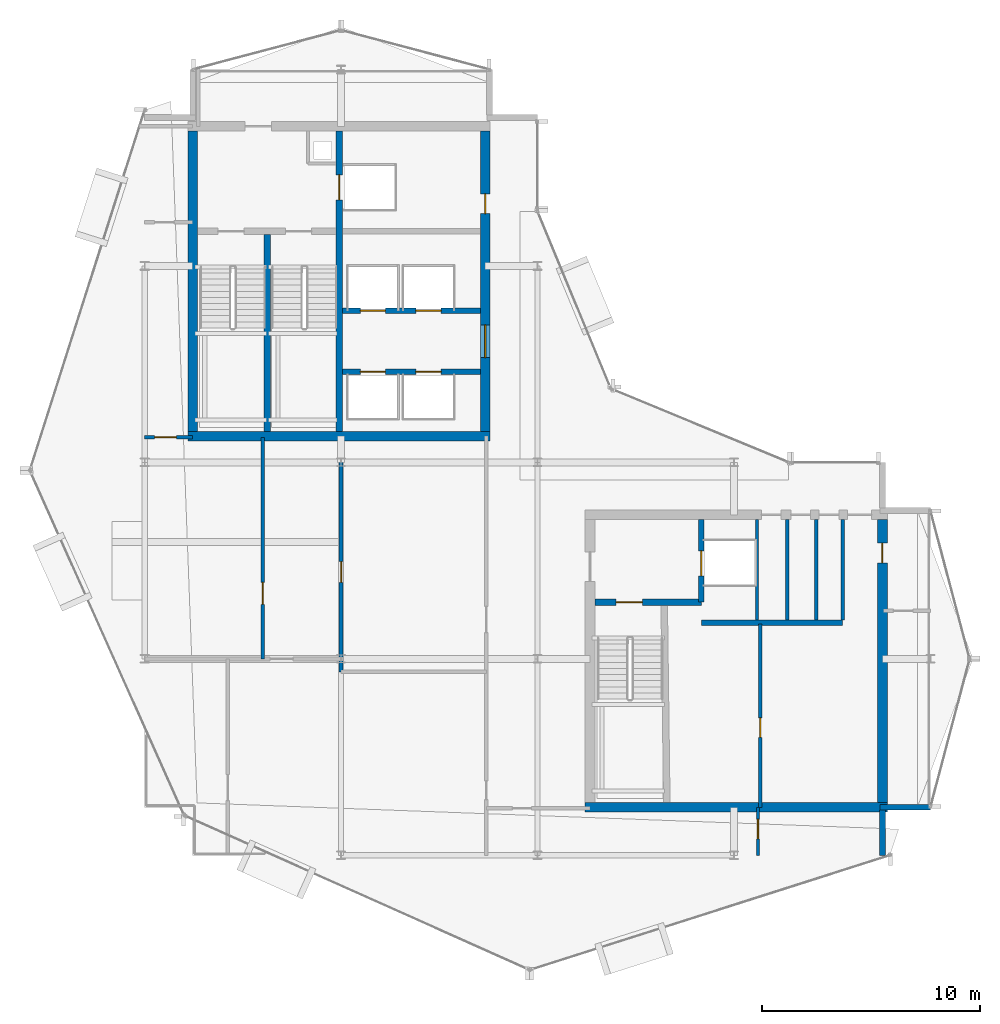
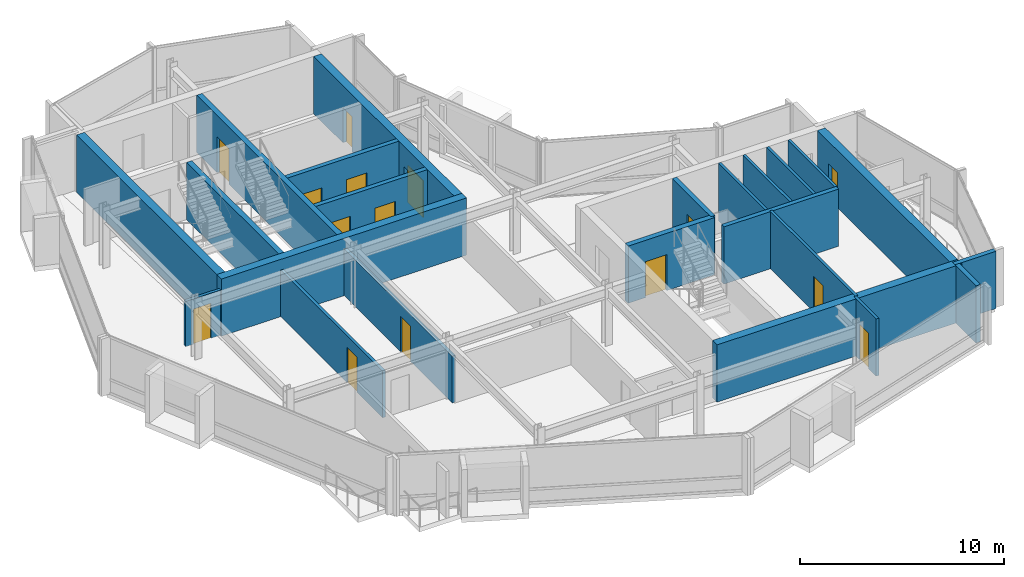
# One storey, part 14 of 19: 23 walls, 15 doors, 15 openings.
"""IFC4 building model written with IfcOpenShell, lengths in metres."""

from ifc_helpers import new_model, si_unit, direction, frame, frame_2d, origin, place, context, subcontext, project, spatial, rectangle, extrude, material, layer, layer_set, type_object, element, fill, save


model = new_model("IFC4")

# Units and contexts
model_context = context("Model", 3, precision=1e-05, world=origin(), true_north=direction((0.0, 1.0)))
body_context = subcontext(model_context, "Body", "Model", "MODEL_VIEW")
ifc_project = project(units=[si_unit("LENGTHUNIT", "METRE"), si_unit("AREAUNIT", "SQUARE_METRE"), si_unit("VOLUMEUNIT", "CUBIC_METRE"), si_unit("PLANEANGLEUNIT", "RADIAN"), si_unit("MASSUNIT", "GRAM", prefix="KILO")], contexts=[model_context])

# Site, building, storey
site_placement = place(None, origin())
site = spatial("IfcSite", under=ifc_project, at=site_placement, CompositionType="ELEMENT")
building_placement = place(site_placement, origin())
building = spatial("IfcBuilding", under=site, at=building_placement, Name="Solvaryn Broadcast Tower", CompositionType="ELEMENT")
storey_placement = place(building_placement, frame((0.0, 0.0, 270.39990234375)))
storey = spatial("IfcBuildingStorey", under=building, at=storey_placement, Name="L68", CompositionType="ELEMENT", Elevation=270.39990234375)

# Walls
ifc_material_1 = material(Name="Concrete f'c 70 MPa", Category="concrete")
ifc_layer_1 = layer(ifc_material_1, 0.449951171875)
ifc_layer_set_1 = layer_set([ifc_layer_1], Name="CW-SHEAR-450")
wall_type_1 = type_object("IfcWallType", Name="CW-SHEAR-450", PredefinedType="SHEAR", material=ifc_layer_set_1)
wall_1_placement = place(storey_placement, frame((10.97509765625, 28.199951171875, 0.0), z_axis=(0.0, 0.0, 1.0), x_axis=(1.0, 0.0, 0.0)))
element("IfcWall", 1, at=wall_1_placement, inside=storey, type_object=wall_type_1, Name="L68 West Core South Shear Wall", PredefinedType="SHEAR", context=body_context, shape_type="SweptSolid", body=[
    extrude(rectangle(XDim=13.849853515625, YDim=0.449951171875, at=frame_2d((6.9248046875, 0.0))), origin(), (0.0, 0.0, 1.0), 3.420166015625),
])
wall_2_placement = place(storey_placement, frame((11.199951171875, 42.175048828125, 0.0), z_axis=(0.0, 0.0, 1.0), x_axis=(0.0, -1.0, 0.0)))
element("IfcWall", 2, at=wall_2_placement, inside=storey, type_object=wall_type_1, Name="L68 West Core West Shear Wall", PredefinedType="SHEAR", context=body_context, shape_type="SweptSolid", body=[
    extrude(rectangle(XDim=13.75, YDim=0.449951171875, at=frame_2d((6.875, 0.0))), origin(), (0.0, 0.0, 1.0), 3.420166015625),
])

# Wall, openings, doors
wall_3_placement = place(storey_placement, frame((24.60009765625, 28.425048828125, 0.0), z_axis=(0.0, 0.0, 1.0), x_axis=(0.0, 1.0, 0.0)))
wall_3 = element("IfcWall", 3, at=wall_3_placement, inside=storey, type_object=wall_type_1, Name="L68 West Core East Shear Wall", PredefinedType="SHEAR", context=body_context, shape_type="SweptSolid", body=[
    extrude(rectangle(XDim=13.75, YDim=0.449951171875, at=frame_2d((6.875, 0.0))), origin(), (0.0, 0.0, 1.0), 3.420166015625),
])
opening_1_placement = place(wall_3_placement, frame((3.375, 0.0, 0.0)))
opening_1 = element("IfcOpeningElement", 4, at=opening_1_placement, cuts=wall_3, Name="Opening FD60A", PredefinedType="OPENING", context=body_context, shape_type="SweptSolid", body=[
    extrude(rectangle(XDim=1.5, YDim=2.199951171875, at=frame_2d((0.75, 1.10009765625))), frame((0.0, 0.235107421875, 0.0), z_axis=(0.0, -1.0, 0.0), x_axis=(1.0, 0.0, 0.0)), (0.0, 0.0, 1.0), 0.469970703125),
])
opening_2_placement = place(wall_3_placement, frame((9.97509765625, 0.0, 0.0)))
opening_2 = element("IfcOpeningElement", 5, at=opening_2_placement, cuts=wall_3, Name="Opening FD60C", PredefinedType="OPENING", context=body_context, shape_type="SweptSolid", body=[
    extrude(rectangle(XDim=0.89990234375, YDim=2.10009765625, at=frame_2d((0.449951171875, 1.050048828125))), frame((0.0, 0.235107421875, 0.0), z_axis=(0.0, -1.0, 0.0), x_axis=(1.0, 0.0, 0.0)), (0.0, 0.0, 1.0), 0.469970703125),
])
ifc_material_2 = material(Name="Flush Acoustic Steel and Timber Door Assembly", Category="steel")
door_type_1 = type_object("IfcDoorType", Name="FD60-CORR-1500X2200", OperationType="NOTDEFINED", PredefinedType="DOOR", material=ifc_material_2)
door_1_placement = place(opening_1_placement, origin())
door_1 = element("IfcDoor", 6, at=door_1_placement, inside=storey, type_object=door_type_1, Name="L68 West Elevator Lobby Corridor Door", OperationType="DOUBLE_DOOR_SINGLE_SWING", OverallHeight=2.199951171875, OverallWidth=1.5, PredefinedType="DOOR", context=body_context, shape_type="SweptSolid", body=[
    extrude(rectangle(XDim=1.5, YDim=2.199951171875, at=frame_2d((0.75, 1.10009765625))), frame((0.0, 0.02490234375, 0.0), z_axis=(0.0, -1.0, 0.0), x_axis=(1.0, 0.0, 0.0)), (0.0, 0.0, 1.0), 0.050048828125),
])
fill(opening_1, door_1)
ifc_material_3 = material(Name="Flush Acoustic Steel and Timber Door Assembly", Category="steel")
door_type_2 = type_object("IfcDoorType", Name="FD60-SERV-900X2100", OperationType="NOTDEFINED", PredefinedType="DOOR", material=ifc_material_3)
door_2_placement = place(opening_2_placement, origin())
door_2 = element("IfcDoor", 7, at=door_2_placement, inside=storey, type_object=door_type_2, Name="L68 West Core Service Door 1", OperationType="SINGLE_SWING_LEFT", OverallHeight=2.10009765625, OverallWidth=0.89990234375, PredefinedType="DOOR", context=body_context, shape_type="SweptSolid", body=[
    extrude(rectangle(XDim=0.89990234375, YDim=2.10009765625, at=frame_2d((0.449951171875, 1.050048828125))), frame((0.0, 0.02490234375, 0.0), z_axis=(0.0, -1.0, 0.0), x_axis=(1.0, 0.0, 0.0)), (0.0, 0.0, 1.0), 0.050048828125),
])
fill(opening_2, door_2)

# Wall
wall_4_placement = place(storey_placement, frame((29.175048828125, 11.199951171875, 0.0), z_axis=(0.0, 0.0, 1.0), x_axis=(1.0, 0.0, 0.0)))
element("IfcWall", 8, at=wall_4_placement, inside=storey, type_object=wall_type_1, Name="L68 East Core South Shear Wall", PredefinedType="SHEAR", context=body_context, shape_type="SweptSolid", body=[
    extrude(rectangle(XDim=13.849853515625, YDim=0.449951171875, at=frame_2d((6.9248046875, 0.0))), origin(), (0.0, 0.0, 1.0), 3.420166015625),
])

# Wall, opening, door
wall_5_placement = place(storey_placement, frame((42.800048828125, 11.425048828125, 0.0), z_axis=(0.0, 0.0, 1.0), x_axis=(0.0, 1.0, 0.0)))
wall_5 = element("IfcWall", 9, at=wall_5_placement, inside=storey, type_object=wall_type_1, Name="L68 East Core East Shear Wall", PredefinedType="SHEAR", context=body_context, shape_type="SweptSolid", body=[
    extrude(rectangle(XDim=12.949951171875, YDim=0.449951171875, at=frame_2d((6.47509765625, 0.0))), origin(), (0.0, 0.0, 1.0), 3.420166015625),
])
opening_3_placement = place(wall_5_placement, frame((10.97509765625, 0.0, 0.0)))
opening_3 = element("IfcOpeningElement", 10, at=opening_3_placement, cuts=wall_5, Name="Opening FD60C", PredefinedType="OPENING", context=body_context, shape_type="SweptSolid", body=[
    extrude(rectangle(XDim=0.89990234375, YDim=2.10009765625, at=frame_2d((0.449951171875, 1.050048828125))), frame((0.0, 0.235107421875, 0.0), z_axis=(0.0, -1.0, 0.0), x_axis=(1.0, 0.0, 0.0)), (0.0, 0.0, 1.0), 0.469970703125),
])
door_3_placement = place(opening_3_placement, origin())
door_3 = element("IfcDoor", 11, at=door_3_placement, inside=storey, type_object=door_type_2, Name="L68 Upper East Studio Door", OperationType="SINGLE_SWING_RIGHT", OverallHeight=2.10009765625, OverallWidth=0.89990234375, PredefinedType="DOOR", context=body_context, shape_type="SweptSolid", body=[
    extrude(rectangle(XDim=0.89990234375, YDim=2.10009765625, at=frame_2d((0.449951171875, 1.050048828125))), frame((0.0, 0.02490234375, 0.0), z_axis=(0.0, -1.0, 0.0), x_axis=(1.0, 0.0, 0.0)), (0.0, 0.0, 1.0), 0.050048828125),
])
fill(opening_3, door_3)

# Walls
ifc_material_4 = material(Name="Concrete f'c 50 MPa", Category="concrete")
ifc_layer_2 = layer(ifc_material_4, 0.260009765625)
ifc_layer_set_2 = layer_set([ifc_layer_2], Name="EW-PIER-260")
wall_type_2 = type_object("IfcWallType", Name="EW-PIER-260", PredefinedType="SOLIDWALL", material=ifc_layer_set_2)
wall_6_placement = place(storey_placement, frame((42.800048828125, 9.0, 0.0), z_axis=(0.0, 0.0, 1.0), x_axis=(0.0, 1.0, 0.0)))
element("IfcWall", 12, at=wall_6_placement, inside=storey, type_object=wall_type_2, Name="L68 Notched Corner Pier Wall NSE1", PredefinedType="SOLIDWALL", context=body_context, shape_type="SweptSolid", body=[
    extrude(rectangle(XDim=2.080078125, YDim=0.260009765625, at=frame_2d((1.0400390625, 0.0))), origin(), (0.0, 0.0, 1.0), 3.420166015625),
])
wall_7_placement = place(storey_placement, frame((42.679931640625, 11.199951171875, 0.0), z_axis=(0.0, 0.0, 1.0), x_axis=(1.0, 0.0, 0.0)))
element("IfcWall", 13, at=wall_7_placement, inside=storey, type_object=wall_type_2, Name="L68 Notched Corner Pier Wall NSE2", PredefinedType="SOLIDWALL", context=body_context, shape_type="SweptSolid", body=[
    extrude(rectangle(XDim=2.320068359375, YDim=0.260009765625, at=frame_2d((1.16015625, 0.0))), origin(), (0.0, 0.0, 1.0), 3.420166015625),
])

# Wall, opening, door
ifc_material_5 = material(Name="Metal-Stud Service Core Partition")
ifc_layer_3 = layer(ifc_material_5, 0.14990234375)
ifc_layer_set_3 = layer_set([ifc_layer_3], Name="IW-PART-150")
wall_type_3 = type_object("IfcWallType", Name="IW-PART-150", PredefinedType="PARTITIONING", material=ifc_layer_set_3)
wall_8_placement = place(storey_placement, frame((37.199951171875, 11.199951171875, 0.0), z_axis=(0.0, 0.0, 1.0), x_axis=(0.0, 1.0, 0.0)))
wall_8 = element("IfcWall", 14, at=wall_8_placement, inside=storey, type_object=wall_type_3, Name="L68 Interior Partition IW-L68-RPM-V", PredefinedType="PARTITIONING", context=body_context, shape_type="SweptSolid", body=[
    extrude(rectangle(XDim=8.400146484375, YDim=0.14990234375, at=frame_2d((4.2001953125, 0.0))), origin(), (0.0, 0.0, 1.0), 3.420166015625),
])
opening_4_placement = place(wall_8_placement, frame((3.199951171875, 0.0, 0.0)))
opening_4 = element("IfcOpeningElement", 15, at=opening_4_placement, cuts=wall_8, Name="Opening FD60C", PredefinedType="OPENING", context=body_context, shape_type="SweptSolid", body=[
    extrude(rectangle(XDim=0.89990234375, YDim=2.10009765625, at=frame_2d((0.449951171875, 1.050048828125))), frame((0.0, 0.0849609375, 0.0), z_axis=(0.0, -1.0, 0.0), x_axis=(1.0, 0.0, 0.0)), (0.0, 0.0, 1.0), 0.169921875),
])
door_4_placement = place(opening_4_placement, origin())
door_4 = element("IfcDoor", 16, at=door_4_placement, inside=storey, type_object=door_type_2, Name="L68 Door DR-L68-RPM1", OperationType="SINGLE_SWING_LEFT", OverallHeight=2.10009765625, OverallWidth=0.89990234375, PredefinedType="DOOR", context=body_context, shape_type="SweptSolid", body=[
    extrude(rectangle(XDim=0.89990234375, YDim=2.10009765625, at=frame_2d((0.449951171875, 1.050048828125))), frame((0.0, 0.02490234375, 0.0), z_axis=(0.0, -1.0, 0.0), x_axis=(1.0, 0.0, 0.0)), (0.0, 0.0, 1.0), 0.050048828125),
])
fill(opening_4, door_4)

# Walls
for number, where, z_axis, x_axis, name in (
    (17, (37.050048828125, 19.780029296875, 0.0), (0.0, 0.0, 1.0), (0.0, 1.0, 0.0), "L68 Interior Partition IW-L68-CE-FL2E"),
    (18, (38.43994140625, 19.780029296875, 0.0), (0.0, 0.0, 1.0), (0.0, 1.0, 0.0), "L68 Interior Partition IW-L68-CE-V1"),
    (19, (39.77001953125, 19.780029296875, 0.0), (0.0, 0.0, 1.0), (0.0, 1.0, 0.0), "L68 Interior Partition IW-L68-CE-V2"),
    (20, (40.97998046875, 19.780029296875, 0.0), (0.0, 0.0, 1.0), (0.0, 1.0, 0.0), "L68 Interior Partition IW-L68-CE-V3"),
):
    element("IfcWall", number, at=place(storey_placement, frame(where, z_axis=z_axis, x_axis=x_axis)), inside=storey, type_object=wall_type_3, Name=name, PredefinedType="PARTITIONING", context=body_context, shape_type="SweptSolid", body=[
        extrude(rectangle(XDim=4.594970703125, YDim=0.14990234375, at=frame_2d((2.29736328125, 0.0))), origin(), (0.0, 0.0, 1.0), 3.420166015625),
    ])

# Wall, opening, door
wall_9_placement = place(storey_placement, frame((37.10009765625, 9.0, 0.0), z_axis=(0.0, 0.0, 1.0), x_axis=(0.0, 1.0, 0.0)))
wall_9 = element("IfcWall", 21, at=wall_9_placement, inside=storey, type_object=wall_type_3, Name="L68 Interior Partition IW-L68-SC-V", PredefinedType="PARTITIONING", context=body_context, shape_type="SweptSolid", body=[
    extrude(rectangle(XDim=2.199951171875, YDim=0.14990234375, at=frame_2d((1.10009765625, 0.0))), origin(), (0.0, 0.0, 1.0), 3.420166015625),
])
opening_5_placement = place(wall_9_placement, frame((0.75, 0.0, 0.0)))
opening_5 = element("IfcOpeningElement", 22, at=opening_5_placement, cuts=wall_9, Name="Opening FD60C", PredefinedType="OPENING", context=body_context, shape_type="SweptSolid", body=[
    extrude(rectangle(XDim=0.89990234375, YDim=2.10009765625, at=frame_2d((0.449951171875, 1.050048828125))), frame((0.0, 0.0849609375, 0.0), z_axis=(0.0, -1.0, 0.0), x_axis=(1.0, 0.0, 0.0)), (0.0, 0.0, 1.0), 0.169921875),
])
door_5_placement = place(opening_5_placement, origin())
door_5 = element("IfcDoor", 23, at=door_5_placement, inside=storey, type_object=door_type_2, Name="L68 Door DR-L68-SC1", OperationType="SINGLE_SWING_LEFT", OverallHeight=2.10009765625, OverallWidth=0.89990234375, PredefinedType="DOOR", context=body_context, shape_type="SweptSolid", body=[
    extrude(rectangle(XDim=0.89990234375, YDim=2.10009765625, at=frame_2d((0.449951171875, 1.050048828125))), frame((0.0, 0.02490234375, 0.0), z_axis=(0.0, -1.0, 0.0), x_axis=(1.0, 0.0, 0.0)), (0.0, 0.0, 1.0), 0.050048828125),
])
fill(opening_5, door_5)

ifc_material_6 = material(Name="Metal-Stud Gypsum Office Partition")
ifc_layer_4 = layer(ifc_material_6, 0.159912109375)
ifc_layer_set_4 = layer_set([ifc_layer_4], Name="IW-PART-160")
wall_type_4 = type_object("IfcWallType", Name="IW-PART-160", PredefinedType="PARTITIONING", material=ifc_layer_set_4)
wall_10_placement = place(storey_placement, frame((9.0, 28.14990234375, 0.0), z_axis=(0.0, 0.0, 1.0), x_axis=(1.0, 0.0, 0.0)))
wall_10 = element("IfcWall", 24, at=wall_10_placement, inside=storey, type_object=wall_type_4, Name="L68 Interior Partition IW-L68-WM-S", PredefinedType="PARTITIONING", context=body_context, shape_type="SweptSolid", body=[
    extrude(rectangle(XDim=2.199951171875, YDim=0.159912109375, at=frame_2d((1.10009765625, 0.0))), origin(), (0.0, 0.0, 1.0), 2.70703125),
])
opening_6_placement = place(wall_10_placement, frame((0.449951171875, 0.0, 0.0)))
opening_6 = element("IfcOpeningElement", 25, at=opening_6_placement, cuts=wall_10, Name="Opening ID02", PredefinedType="OPENING", context=body_context, shape_type="SweptSolid", body=[
    extrude(rectangle(XDim=1.0, YDim=2.10009765625, at=frame_2d((0.5, 1.050048828125))), frame((0.0, 0.090087890625, 0.0), z_axis=(0.0, -1.0, 0.0), x_axis=(1.0, 0.0, 0.0)), (0.0, 0.0, 1.0), 0.179931640625),
])
ifc_material_7 = material(Name="Flush Acoustic Steel and Timber Door Assembly", Category="steel")
door_type_3 = type_object("IfcDoorType", Name="ID-02-1000X2100", OperationType="NOTDEFINED", PredefinedType="DOOR", material=ifc_material_7)
door_6_placement = place(opening_6_placement, origin())
door_6 = element("IfcDoor", 26, at=door_6_placement, inside=storey, type_object=door_type_3, Name="L68 Door DR-L68-WM0", OperationType="SINGLE_SWING_RIGHT", OverallHeight=2.10009765625, OverallWidth=1.0, PredefinedType="DOOR", context=body_context, shape_type="SweptSolid", body=[
    extrude(rectangle(XDim=1.0, YDim=2.10009765625, at=frame_2d((0.5, 1.050048828125))), frame((0.0, 0.02490234375, 0.0), z_axis=(0.0, -1.0, 0.0), x_axis=(1.0, 0.0, 0.0)), (0.0, 0.0, 1.0), 0.050048828125),
])
fill(opening_6, door_6)

wall_11_placement = place(storey_placement, frame((14.39990234375, 18.0, 0.0), z_axis=(0.0, 0.0, 1.0), x_axis=(0.0, 1.0, 0.0)))
wall_11 = element("IfcWall", 27, at=wall_11_placement, inside=storey, type_object=wall_type_4, Name="L68 Interior Partition IW-L68-SW-NWV", PredefinedType="PARTITIONING", context=body_context, shape_type="SweptSolid", body=[
    extrude(rectangle(XDim=10.1298828125, YDim=0.159912109375, at=frame_2d((5.06494140625, 0.0))), origin(), (0.0, 0.0, 1.0), 2.7890625),
])
opening_7_placement = place(wall_11_placement, frame((2.5, 0.0, 0.0)))
opening_7 = element("IfcOpeningElement", 28, at=opening_7_placement, cuts=wall_11, Name="Opening ID02", PredefinedType="OPENING", context=body_context, shape_type="SweptSolid", body=[
    extrude(rectangle(XDim=1.0, YDim=2.10009765625, at=frame_2d((0.5, 1.050048828125))), frame((0.0, 0.090087890625, 0.0), z_axis=(0.0, -1.0, 0.0), x_axis=(1.0, 0.0, 0.0)), (0.0, 0.0, 1.0), 0.179931640625),
])
door_7_placement = place(opening_7_placement, origin())
door_7 = element("IfcDoor", 29, at=door_7_placement, inside=storey, type_object=door_type_3, Name="L68 Door DR-L68-SWL-NW", OperationType="SINGLE_SWING_LEFT", OverallHeight=2.10009765625, OverallWidth=1.0, PredefinedType="DOOR", context=body_context, shape_type="SweptSolid", body=[
    extrude(rectangle(XDim=1.0, YDim=2.10009765625, at=frame_2d((0.5, 1.050048828125))), frame((0.0, 0.02490234375, 0.0), z_axis=(0.0, -1.0, 0.0), x_axis=(1.0, 0.0, 0.0)), (0.0, 0.0, 1.0), 0.050048828125),
])
fill(opening_7, door_7)

ifc_material_8 = material(Name="Acoustic Metal-Stud Gypsum Partition")
ifc_layer_5 = layer(ifc_material_8, 0.179931640625)
ifc_layer_set_5 = layer_set([ifc_layer_5], Name="IW-PART-180")
wall_type_5 = type_object("IfcWallType", Name="IW-PART-180", PredefinedType="PARTITIONING", material=ifc_layer_set_5)
wall_12_placement = place(storey_placement, frame((18.0, 17.39990234375, 0.0), z_axis=(0.0, 0.0, 1.0), x_axis=(0.0, 1.0, 0.0)))
wall_12 = element("IfcWall", 30, at=wall_12_placement, inside=storey, type_object=wall_type_5, Name="L68 Interior Partition IW-L68-SW-LV", PredefinedType="PARTITIONING", context=body_context, shape_type="SweptSolid", body=[
    extrude(rectangle(XDim=10.72998046875, YDim=0.179931640625, at=frame_2d((5.364990234375, 0.0))), origin(), (0.0, 0.0, 1.0), 2.7890625),
])
opening_8_placement = place(wall_12_placement, frame((4.10009765625, 0.0, 0.0)))
opening_8 = element("IfcOpeningElement", 31, at=opening_8_placement, cuts=wall_12, Name="Opening ID01", PredefinedType="OPENING", context=body_context, shape_type="SweptSolid", body=[
    extrude(rectangle(XDim=0.949951171875, YDim=2.10009765625, at=frame_2d((0.47509765625, 1.050048828125))), frame((0.0, 0.099853515625, 0.0), z_axis=(0.0, -1.0, 0.0), x_axis=(1.0, 0.0, 0.0)), (0.0, 0.0, 1.0), 0.199951171875),
])
ifc_material_9 = material(Name="Flush Acoustic Steel and Timber Door Assembly", Category="steel")
door_type_4 = type_object("IfcDoorType", Name="ID-01-950X2100", OperationType="NOTDEFINED", PredefinedType="DOOR", material=ifc_material_9)
door_8_placement = place(opening_8_placement, origin())
door_8 = element("IfcDoor", 32, at=door_8_placement, inside=storey, type_object=door_type_4, Name="L68 Door DR-L68-SWL-LV", OperationType="SINGLE_SWING_RIGHT", OverallHeight=2.10009765625, OverallWidth=0.949951171875, PredefinedType="DOOR", context=body_context, shape_type="SweptSolid", body=[
    extrude(rectangle(XDim=0.949951171875, YDim=2.10009765625, at=frame_2d((0.47509765625, 1.050048828125))), frame((0.0, 0.02490234375, 0.0), z_axis=(0.0, -1.0, 0.0), x_axis=(1.0, 0.0, 0.0)), (0.0, 0.0, 1.0), 0.050048828125),
])
fill(opening_8, door_8)

# Wall, openings, doors
ifc_material_10 = material(Name="Concrete f'c 60 MPa", Category="concrete")
ifc_layer_6 = layer(ifc_material_10, 0.25)
ifc_layer_set_6 = layer_set([ifc_layer_6], Name="SW-SHAFT-250")
wall_type_6 = type_object("IfcWallType", Name="SW-SHAFT-250", PredefinedType="PARTITIONING", material=ifc_layer_set_6)
wall_13_placement = place(storey_placement, frame((18.070068359375, 31.14990234375, 0.0), z_axis=(0.0, 0.0, 1.0), x_axis=(1.0, 0.0, 0.0)))
wall_13 = element("IfcWall", 33, at=wall_13_placement, inside=storey, type_object=wall_type_6, Name="L68 High-Rise Lift Bank South Wall", PredefinedType="PARTITIONING", context=body_context, shape_type="SweptSolid", body=[
    extrude(rectangle(XDim=6.304931640625, YDim=0.25, at=frame_2d((3.15234375, 0.0))), origin(), (0.0, 0.0, 1.0), 3.420166015625),
])
opening_9_placement = place(wall_13_placement, frame((0.804931640625, 0.0, 0.0)))
opening_9 = element("IfcOpeningElement", 34, at=opening_9_placement, cuts=wall_13, Name="Opening LD01", PredefinedType="OPENING", context=body_context, shape_type="SweptSolid", body=[
    extrude(rectangle(XDim=1.14990234375, YDim=2.14990234375, at=frame_2d((0.574951171875, 1.074951171875))), frame((0.0, 0.135009765625, 0.0), z_axis=(0.0, -1.0, 0.0), x_axis=(1.0, 0.0, 0.0)), (0.0, 0.0, 1.0), 0.27001953125),
])
opening_10_placement = place(wall_13_placement, frame((3.35498046875, 0.0, 0.0)))
opening_10 = element("IfcOpeningElement", 35, at=opening_10_placement, cuts=wall_13, Name="Opening LD01", PredefinedType="OPENING", context=body_context, shape_type="SweptSolid", body=[
    extrude(rectangle(XDim=1.14990234375, YDim=2.14990234375, at=frame_2d((0.574951171875, 1.074951171875))), frame((0.0, 0.135009765625, 0.0), z_axis=(0.0, -1.0, 0.0), x_axis=(1.0, 0.0, 0.0)), (0.0, 0.0, 1.0), 0.27001953125),
])
ifc_material_11 = material(Name="Flush Acoustic Steel and Timber Door Assembly", Category="steel")
door_type_5 = type_object("IfcDoorType", Name="LD-LIFT-1150X2150", OperationType="NOTDEFINED", PredefinedType="DOOR", material=ifc_material_11)
door_9_placement = place(opening_9_placement, origin())
door_9 = element("IfcDoor", 36, at=door_9_placement, inside=storey, type_object=door_type_5, Name="L68 PH1 Lift Landing Door", OperationType="DOUBLE_DOOR_SLIDING", OverallHeight=2.14990234375, OverallWidth=1.14990234375, PredefinedType="DOOR", context=body_context, shape_type="SweptSolid", body=[
    extrude(rectangle(XDim=1.14990234375, YDim=2.14990234375, at=frame_2d((0.574951171875, 1.074951171875))), frame((0.0, 0.02490234375, 0.0), z_axis=(0.0, -1.0, 0.0), x_axis=(1.0, 0.0, 0.0)), (0.0, 0.0, 1.0), 0.050048828125),
])
fill(opening_9, door_9)
door_10_placement = place(opening_10_placement, origin())
door_10 = element("IfcDoor", 37, at=door_10_placement, inside=storey, type_object=door_type_5, Name="L68 PH2 Lift Landing Door", OperationType="DOUBLE_DOOR_SLIDING", OverallHeight=2.14990234375, OverallWidth=1.14990234375, PredefinedType="DOOR", context=body_context, shape_type="SweptSolid", body=[
    extrude(rectangle(XDim=1.14990234375, YDim=2.14990234375, at=frame_2d((0.574951171875, 1.074951171875))), frame((0.0, 0.02490234375, 0.0), z_axis=(0.0, -1.0, 0.0), x_axis=(1.0, 0.0, 0.0)), (0.0, 0.0, 1.0), 0.050048828125),
])
fill(opening_10, door_10)

wall_14_placement = place(storey_placement, frame((24.375, 33.949951171875, 0.0), z_axis=(0.0, 0.0, 1.0), x_axis=(-1.0, 0.0, 0.0)))
wall_14 = element("IfcWall", 38, at=wall_14_placement, inside=storey, type_object=wall_type_6, Name="L68 High-Rise Lift Bank North Wall", PredefinedType="PARTITIONING", context=body_context, shape_type="SweptSolid", body=[
    extrude(rectangle(XDim=6.304931640625, YDim=0.25, at=frame_2d((3.15234375, 0.0))), origin(), (0.0, 0.0, 1.0), 3.420166015625),
])
opening_11_placement = place(wall_14_placement, frame((4.35009765625, 0.0, 0.0)))
opening_11 = element("IfcOpeningElement", 39, at=opening_11_placement, cuts=wall_14, Name="Opening LD01", PredefinedType="OPENING", context=body_context, shape_type="SweptSolid", body=[
    extrude(rectangle(XDim=1.14990234375, YDim=2.14990234375, at=frame_2d((0.574951171875, 1.074951171875))), frame((0.0, 0.135009765625, 0.0), z_axis=(0.0, -1.0, 0.0), x_axis=(1.0, 0.0, 0.0)), (0.0, 0.0, 1.0), 0.27001953125),
])
opening_12_placement = place(wall_14_placement, frame((1.800048828125, 0.0, 0.0)))
opening_12 = element("IfcOpeningElement", 40, at=opening_12_placement, cuts=wall_14, Name="Opening LD01", PredefinedType="OPENING", context=body_context, shape_type="SweptSolid", body=[
    extrude(rectangle(XDim=1.14990234375, YDim=2.14990234375, at=frame_2d((0.574951171875, 1.074951171875))), frame((0.0, 0.135009765625, 0.0), z_axis=(0.0, -1.0, 0.0), x_axis=(1.0, 0.0, 0.0)), (0.0, 0.0, 1.0), 0.27001953125),
])
door_11_placement = place(opening_11_placement, origin())
door_11 = element("IfcDoor", 41, at=door_11_placement, inside=storey, type_object=door_type_5, Name="L68 PH3 Lift Landing Door", OperationType="DOUBLE_DOOR_SLIDING", OverallHeight=2.14990234375, OverallWidth=1.14990234375, PredefinedType="DOOR", context=body_context, shape_type="SweptSolid", body=[
    extrude(rectangle(XDim=1.14990234375, YDim=2.14990234375, at=frame_2d((0.574951171875, 1.074951171875))), frame((0.0, 0.02490234375, 0.0), z_axis=(0.0, -1.0, 0.0), x_axis=(1.0, 0.0, 0.0)), (0.0, 0.0, 1.0), 0.050048828125),
])
fill(opening_11, door_11)
door_12_placement = place(opening_12_placement, origin())
door_12 = element("IfcDoor", 42, at=door_12_placement, inside=storey, type_object=door_type_5, Name="L68 PH4 Lift Landing Door", OperationType="DOUBLE_DOOR_SLIDING", OverallHeight=2.14990234375, OverallWidth=1.14990234375, PredefinedType="DOOR", context=body_context, shape_type="SweptSolid", body=[
    extrude(rectangle(XDim=1.14990234375, YDim=2.14990234375, at=frame_2d((0.574951171875, 1.074951171875))), frame((0.0, 0.02490234375, 0.0), z_axis=(0.0, -1.0, 0.0), x_axis=(1.0, 0.0, 0.0)), (0.0, 0.0, 1.0), 0.050048828125),
])
fill(opening_12, door_12)

# Wall, opening, door
wall_15_placement = place(storey_placement, frame((34.5, 20.60009765625, 0.0), z_axis=(0.0, 0.0, 1.0), x_axis=(0.0, 1.0, 0.0)))
wall_15 = element("IfcWall", 43, at=wall_15_placement, inside=storey, type_object=wall_type_6, Name="L68 East FSAE Lobby East Wall", PredefinedType="PARTITIONING", context=body_context, shape_type="SweptSolid", body=[
    extrude(rectangle(XDim=3.77490234375, YDim=0.25, at=frame_2d((1.887451171875, 0.0))), origin(), (0.0, 0.0, 1.0), 3.420166015625),
])
opening_13_placement = place(wall_15_placement, frame((1.199951171875, 0.0, 0.0)))
opening_13 = element("IfcOpeningElement", 44, at=opening_13_placement, cuts=wall_15, Name="Opening LD01", PredefinedType="OPENING", context=body_context, shape_type="SweptSolid", body=[
    extrude(rectangle(XDim=1.14990234375, YDim=2.14990234375, at=frame_2d((0.574951171875, 1.074951171875))), frame((0.0, 0.135009765625, 0.0), z_axis=(0.0, -1.0, 0.0), x_axis=(1.0, 0.0, 0.0)), (0.0, 0.0, 1.0), 0.27001953125),
])
door_13_placement = place(opening_13_placement, origin())
door_13 = element("IfcDoor", 45, at=door_13_placement, inside=storey, type_object=door_type_5, Name="L68 FL2 Lift Landing Door", OperationType="DOUBLE_DOOR_SLIDING", OverallHeight=2.14990234375, OverallWidth=1.14990234375, PredefinedType="DOOR", context=body_context, shape_type="SweptSolid", body=[
    extrude(rectangle(XDim=1.14990234375, YDim=2.14990234375, at=frame_2d((0.574951171875, 1.074951171875))), frame((0.0, 0.02490234375, 0.0), z_axis=(0.0, -1.0, 0.0), x_axis=(1.0, 0.0, 0.0)), (0.0, 0.0, 1.0), 0.050048828125),
])
fill(opening_13, door_13)

# Walls
wall_16_placement = place(storey_placement, frame((34.5, 19.64990234375, 0.0), z_axis=(0.0, 0.0, 1.0), x_axis=(1.0, 0.0, 0.0)))
element("IfcWall", 46, at=wall_16_placement, inside=storey, type_object=wall_type_6, Name="L68 East Core Restroom South Wall", PredefinedType="PARTITIONING", context=body_context, shape_type="SweptSolid", body=[
    extrude(rectangle(XDim=6.47998046875, YDim=0.25, at=frame_2d((3.239990234375, 0.0))), origin(), (0.0, 0.0, 1.0), 3.420166015625),
])
ifc_material_12 = material(Name="Concrete f'c 70 MPa", Category="concrete")
ifc_layer_7 = layer(ifc_material_12, 0.300048828125)
ifc_layer_set_7 = layer_set([ifc_layer_7], Name="SW-SHAFT-300")
wall_type_7 = type_object("IfcWallType", Name="SW-SHAFT-300", PredefinedType="SHEAR", material=ifc_layer_set_7)
wall_17_placement = place(storey_placement, frame((14.6201171875, 28.425048828125, 0.0), z_axis=(0.0, 0.0, 1.0), x_axis=(0.0, 1.0, 0.0)))
element("IfcWall", 47, at=wall_17_placement, inside=storey, type_object=wall_type_7, Name="L68 Stair 1-2 Dividing Wall", PredefinedType="SHEAR", context=body_context, shape_type="SweptSolid", body=[
    extrude(rectangle(XDim=9.02490234375, YDim=0.300048828125, at=frame_2d((4.512451171875, 0.0))), origin(), (0.0, 0.0, 1.0), 3.420166015625),
])

# Wall, opening, door
wall_18_placement = place(storey_placement, frame((17.919921875, 42.175048828125, 0.0), z_axis=(0.0, 0.0, 1.0), x_axis=(0.0, -1.0, 0.0)))
wall_18 = element("IfcWall", 48, at=wall_18_placement, inside=storey, type_object=wall_type_7, Name="L68 West Core Stair-Lobby Shear Wall", PredefinedType="SHEAR", context=body_context, shape_type="SweptSolid", body=[
    extrude(rectangle(XDim=13.75, YDim=0.300048828125, at=frame_2d((6.875, 0.0))), origin(), (0.0, 0.0, 1.0), 3.420166015625),
])
opening_14_placement = place(wall_18_placement, frame((2.0, 0.0, 0.0)))
opening_14 = element("IfcOpeningElement", 49, at=opening_14_placement, cuts=wall_18, Name="Opening LD01", PredefinedType="OPENING", context=body_context, shape_type="SweptSolid", body=[
    extrude(rectangle(XDim=1.14990234375, YDim=2.14990234375, at=frame_2d((0.574951171875, 1.074951171875))), frame((0.0, 0.159912109375, 0.0), z_axis=(0.0, -1.0, 0.0), x_axis=(1.0, 0.0, 0.0)), (0.0, 0.0, 1.0), 0.320068359375),
])
door_14_placement = place(opening_14_placement, origin())
door_14 = element("IfcDoor", 50, at=door_14_placement, inside=storey, type_object=door_type_5, Name="L68 FL1 Lift Landing Door", OperationType="DOUBLE_DOOR_SLIDING", OverallHeight=2.14990234375, OverallWidth=1.14990234375, PredefinedType="DOOR", context=body_context, shape_type="SweptSolid", body=[
    extrude(rectangle(XDim=1.14990234375, YDim=2.14990234375, at=frame_2d((0.574951171875, 1.074951171875))), frame((0.0, 0.02490234375, 0.0), z_axis=(0.0, -1.0, 0.0), x_axis=(1.0, 0.0, 0.0)), (0.0, 0.0, 1.0), 0.050048828125),
])
fill(opening_14, door_14)

wall_19_placement = place(storey_placement, frame((34.5, 20.60009765625, 0.0), z_axis=(0.0, 0.0, 1.0), x_axis=(-1.0, 0.0, 0.0)))
wall_19 = element("IfcWall", 51, at=wall_19_placement, inside=storey, type_object=wall_type_7, Name="L68 East FSAE Lobby South Wall", PredefinedType="SHEAR", context=body_context, shape_type="SweptSolid", body=[
    extrude(rectangle(XDim=4.875, YDim=0.300048828125, at=frame_2d((2.4375, 0.0))), origin(), (0.0, 0.0, 1.0), 3.420166015625),
])
opening_15_placement = place(wall_19_placement, frame((2.699951171875, 0.0, 0.0)))
opening_15 = element("IfcOpeningElement", 52, at=opening_15_placement, cuts=wall_19, Name="Opening FD90A", PredefinedType="OPENING", context=body_context, shape_type="SweptSolid", body=[
    extrude(rectangle(XDim=1.199951171875, YDim=2.14990234375, at=frame_2d((0.60009765625, 1.074951171875))), frame((0.0, 0.159912109375, 0.0), z_axis=(0.0, -1.0, 0.0), x_axis=(1.0, 0.0, 0.0)), (0.0, 0.0, 1.0), 0.320068359375),
])
ifc_material_13 = material(Name="Flush Acoustic Steel and Timber Door Assembly", Category="steel")
door_type_6 = type_object("IfcDoorType", Name="FD90-STAIR-1200X2150", OperationType="NOTDEFINED", PredefinedType="DOOR", material=ifc_material_13)
door_15_placement = place(opening_15_placement, origin())
door_15 = element("IfcDoor", 53, at=door_15_placement, inside=storey, type_object=door_type_6, Name="L68 Stair 3 Fire Door", OperationType="SINGLE_SWING_LEFT", OverallHeight=2.14990234375, OverallWidth=1.199951171875, PredefinedType="DOOR", context=body_context, shape_type="SweptSolid", body=[
    extrude(rectangle(XDim=1.199951171875, YDim=2.14990234375, at=frame_2d((0.60009765625, 1.074951171875))), frame((0.0, 0.02490234375, 0.0), z_axis=(0.0, -1.0, 0.0), x_axis=(1.0, 0.0, 0.0)), (0.0, 0.0, 1.0), 0.050048828125),
])
fill(opening_15, door_15)

save(model, "model.ifc")
